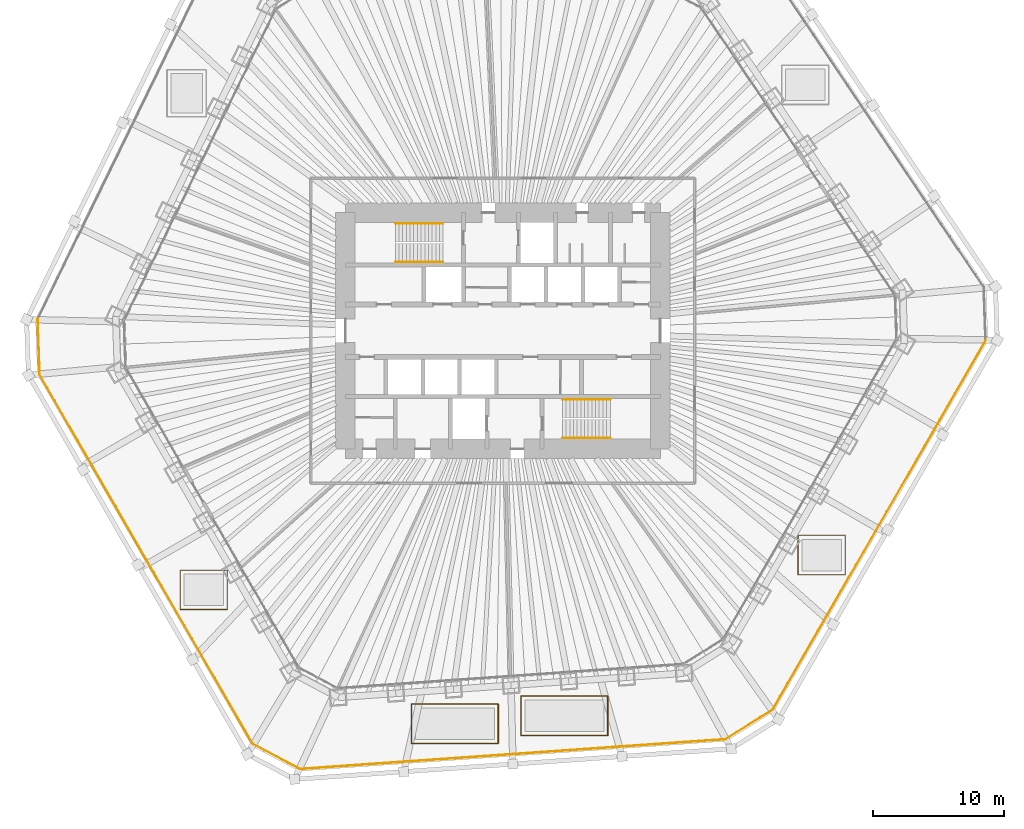
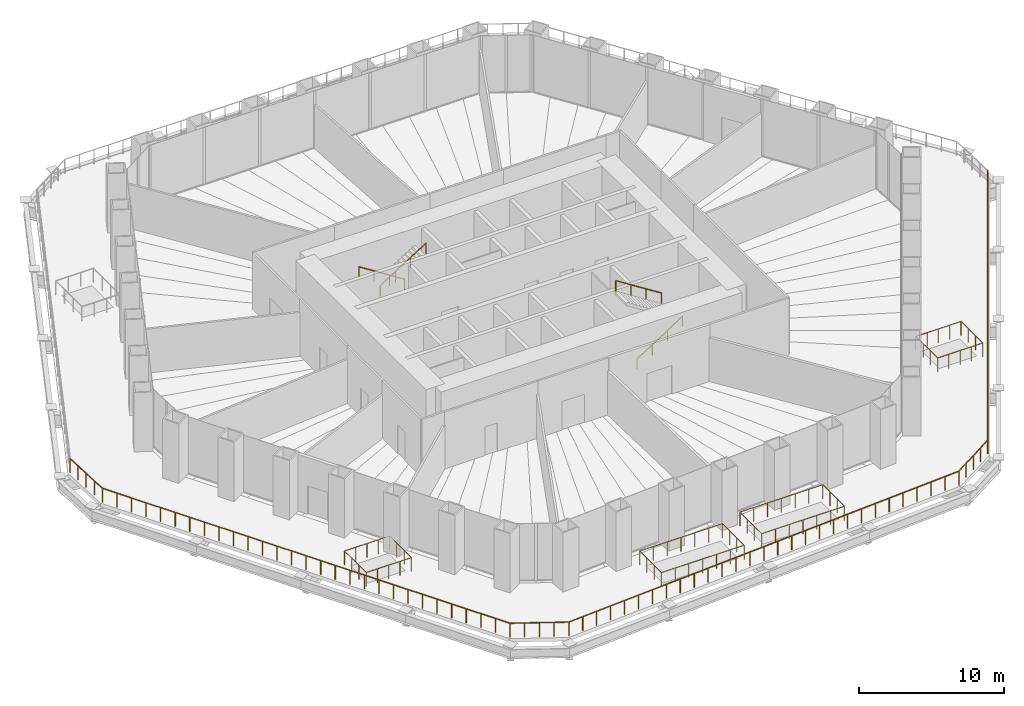
# One storey, part 18 of 20: 11 railings.
"""IFC4 building model written with IfcOpenShell, lengths in metres."""

from ifc_helpers import new_model, si_unit, direction, frame, origin, origin_2d, place, context, subcontext, project, spatial, circle, extrude, material, type_object, element, save


model = new_model("IFC4")

# Units and contexts
model_context = context("Model", 3, precision=1e-05, world=origin(), true_north=direction((0.0, 1.0)))
body_context = subcontext(model_context, "Body", "Model", "MODEL_VIEW")
ifc_project = project(units=[si_unit("LENGTHUNIT", "METRE"), si_unit("AREAUNIT", "SQUARE_METRE"), si_unit("VOLUMEUNIT", "CUBIC_METRE"), si_unit("PLANEANGLEUNIT", "RADIAN"), si_unit("MASSUNIT", "GRAM", prefix="KILO")], contexts=[model_context])

# Site, building, storey
site_placement = place(None, origin())
site = spatial("IfcSite", under=ifc_project, at=site_placement, CompositionType="ELEMENT")
building_placement = place(site_placement, origin())
building = spatial("IfcBuilding", under=site, at=building_placement, Name="Qingtian Harvest Tower", CompositionType="ELEMENT")
storey_placement = place(building_placement, frame((0.0, 0.0, 17.0)))
storey = spatial("IfcBuildingStorey", under=building, at=storey_placement, Name="L03", CompositionType="ELEMENT", Elevation=17.0)

# Railings
ifc_material_1 = material(Name="Stainless steel handrail", Category="steel")
railing_type_1 = type_object("IfcRailingType", Name="Handrail HR1", PredefinedType="HANDRAIL", material=ifc_material_1)
railing_1_placement = place(storey_placement, frame((-4.550048828125, 8.169921875, 0.178466796875)))
element("IfcRailing", 1, at=railing_1_placement, inside=storey, type_object=railing_type_1, Name="Handrail HR1 S1 flight 1", PredefinedType="HANDRAIL", context=body_context, shape_type="SweptSolid", body=[
    extrude(circle(Radius=0.02392578125, at=origin_2d()), frame((0.0, 0.0, 0.8759765625), z_axis=(-0.843111507901, 0.0, 0.53773877045), x_axis=(0.0, -1.0, 0.0)), (0.0, 0.0, 1.0), 4.317138671875),
    extrude(circle(Radius=0.02099609375, at=origin_2d()), origin(), (0.0, 0.0, 1.0), 0.851806640625),
    extrude(circle(Radius=0.02099609375, at=origin_2d()), frame((-1.21337890625, 0.0, 0.77392578125)), (0.0, 0.0, 1.0), 0.851806640625),
    extrude(circle(Radius=0.02099609375, at=origin_2d()), frame((-2.426513671875, 0.0, 1.547607421875)), (0.0, 0.0, 1.0), 0.851806640625),
    extrude(circle(Radius=0.02099609375, at=origin_2d()), frame((-3.639892578125, 0.0, 2.321533203125)), (0.0, 0.0, 1.0), 0.851806640625),
])
for number, where, name in (
    (2, (-8.18994140625, 5.22998046875, 2.678466796875), "Handrail HR1 S1 flight 2"),
    (3, (4.550048828125, -8.169921875, 0.178466796875), "Handrail HR1 S2 flight 1"),
):
    element("IfcRailing", number, at=place(storey_placement, frame(where)), inside=storey, type_object=railing_type_1, Name=name, PredefinedType="HANDRAIL", context=body_context, shape_type="SweptSolid", body=[
        extrude(circle(Radius=0.02392578125, at=origin_2d()), frame((0.0, 0.0, 0.8759765625), z_axis=(0.843111507901, 0.0, 0.53773877045), x_axis=(0.0, 1.0, 0.0)), (0.0, 0.0, 1.0), 4.317138671875),
        extrude(circle(Radius=0.02099609375, at=origin_2d()), origin(), (0.0, 0.0, 1.0), 0.851806640625),
        extrude(circle(Radius=0.02099609375, at=origin_2d()), frame((1.21337890625, 0.0, 0.77392578125)), (0.0, 0.0, 1.0), 0.851806640625),
        extrude(circle(Radius=0.02099609375, at=origin_2d()), frame((2.426513671875, 0.0, 1.547607421875)), (0.0, 0.0, 1.0), 0.851806640625),
        extrude(circle(Radius=0.02099609375, at=origin_2d()), frame((3.639892578125, 0.0, 2.321533203125)), (0.0, 0.0, 1.0), 0.851806640625),
    ])
railing_2_placement = place(storey_placement, frame((8.18994140625, -5.22998046875, 2.678466796875)))
element("IfcRailing", 4, at=railing_2_placement, inside=storey, type_object=railing_type_1, Name="Handrail HR1 S2 flight 2", PredefinedType="HANDRAIL", context=body_context, shape_type="SweptSolid", body=[
    extrude(circle(Radius=0.02392578125, at=origin_2d()), frame((0.0, 0.0, 0.8759765625), z_axis=(-0.843111507901, 0.0, 0.53773877045), x_axis=(0.0, -1.0, 0.0)), (0.0, 0.0, 1.0), 4.317138671875),
    extrude(circle(Radius=0.02099609375, at=origin_2d()), origin(), (0.0, 0.0, 1.0), 0.851806640625),
    extrude(circle(Radius=0.02099609375, at=origin_2d()), frame((-1.21337890625, 0.0, 0.77392578125)), (0.0, 0.0, 1.0), 0.851806640625),
    extrude(circle(Radius=0.02099609375, at=origin_2d()), frame((-2.426513671875, 0.0, 1.547607421875)), (0.0, 0.0, 1.0), 0.851806640625),
    extrude(circle(Radius=0.02099609375, at=origin_2d()), frame((-3.639892578125, 0.0, 2.321533203125)), (0.0, 0.0, 1.0), 0.851806640625),
])
ifc_material_2 = material(Name="Bronze-finished steel guard", Category="steel")
railing_type_2 = type_object("IfcRailingType", Name="Rooflight guard GR3 1200", PredefinedType="GUARDRAIL", material=ifc_material_2)
railing_3_placement = place(storey_placement, frame((1.39990234375, -30.85009765625, 0.0)))
element("IfcRailing", 5, at=railing_3_placement, inside=storey, type_object=railing_type_2, Name="Rooflight guard GR3 S1", PredefinedType="GUARDRAIL", context=body_context, shape_type="SweptSolid", body=[
    extrude(circle(Radius=0.02392578125, at=origin_2d()), frame((0.0, 0.0, 1.17578125), z_axis=(1.0, 0.0, 0.0), x_axis=(0.0, 1.0, 0.0)), (0.0, 0.0, 1.0), 6.60009765625),
    extrude(circle(Radius=0.02392578125, at=origin_2d()), frame((6.60009765625, 0.0, 1.17578125), z_axis=(0.0, 1.0, 0.0), x_axis=(-1.0, 0.0, 0.0)), (0.0, 0.0, 1.0), 3.0),
    extrude(circle(Radius=0.02392578125, at=origin_2d()), frame((6.60009765625, 3.0, 1.17578125), z_axis=(-1.0, 0.0, 0.0), x_axis=(0.0, -1.0, 0.0)), (0.0, 0.0, 1.0), 6.60009765625),
    extrude(circle(Radius=0.02392578125, at=origin_2d()), frame((0.0, 3.0, 1.17578125), z_axis=(0.0, -1.0, 0.0), x_axis=(1.0, 0.0, 0.0)), (0.0, 0.0, 1.0), 3.0),
    extrude(circle(Radius=0.02099609375, at=origin_2d()), origin(), (0.0, 0.0, 1.0), 1.15185546875),
    extrude(circle(Radius=0.02099609375, at=origin_2d()), frame((1.10009765625, 0.0, 0.0)), (0.0, 0.0, 1.0), 1.15185546875),
    extrude(circle(Radius=0.02099609375, at=origin_2d()), frame((2.199951171875, 0.0, 0.0)), (0.0, 0.0, 1.0), 1.15185546875),
    extrude(circle(Radius=0.02099609375, at=origin_2d()), frame((3.300048828125, 0.0, 0.0)), (0.0, 0.0, 1.0), 1.15185546875),
    extrude(circle(Radius=0.02099609375, at=origin_2d()), frame((4.400146484375, 0.0, 0.0)), (0.0, 0.0, 1.0), 1.15185546875),
    extrude(circle(Radius=0.02099609375, at=origin_2d()), frame((5.5, 0.0, 0.0)), (0.0, 0.0, 1.0), 1.15185546875),
    extrude(circle(Radius=0.02099609375, at=origin_2d()), frame((6.60009765625, 0.0, 0.0)), (0.0, 0.0, 1.0), 1.15185546875),
    extrude(circle(Radius=0.02099609375, at=origin_2d()), frame((6.60009765625, 1.0, 0.0)), (0.0, 0.0, 1.0), 1.15185546875),
    extrude(circle(Radius=0.02099609375, at=origin_2d()), frame((6.60009765625, 2.0, 0.0)), (0.0, 0.0, 1.0), 1.15185546875),
    extrude(circle(Radius=0.02099609375, at=origin_2d()), frame((6.60009765625, 3.0, 0.0)), (0.0, 0.0, 1.0), 1.15185546875),
    extrude(circle(Radius=0.02099609375, at=origin_2d()), frame((5.5, 3.0, 0.0)), (0.0, 0.0, 1.0), 1.15185546875),
    extrude(circle(Radius=0.02099609375, at=origin_2d()), frame((4.400146484375, 3.0, 0.0)), (0.0, 0.0, 1.0), 1.15185546875),
    extrude(circle(Radius=0.02099609375, at=origin_2d()), frame((3.300048828125, 3.0, 0.0)), (0.0, 0.0, 1.0), 1.15185546875),
    extrude(circle(Radius=0.02099609375, at=origin_2d()), frame((2.199951171875, 3.0, 0.0)), (0.0, 0.0, 1.0), 1.15185546875),
    extrude(circle(Radius=0.02099609375, at=origin_2d()), frame((1.10009765625, 3.0, 0.0)), (0.0, 0.0, 1.0), 1.15185546875),
    extrude(circle(Radius=0.02099609375, at=origin_2d()), frame((0.0, 3.0, 0.0)), (0.0, 0.0, 1.0), 1.15185546875),
    extrude(circle(Radius=0.02099609375, at=origin_2d()), frame((0.0, 2.0, 0.0)), (0.0, 0.0, 1.0), 1.15185546875),
    extrude(circle(Radius=0.02099609375, at=origin_2d()), frame((0.0, 1.0, 0.0)), (0.0, 0.0, 1.0), 1.15185546875),
])
railing_4_placement = place(storey_placement, frame((-6.949951171875, -31.449951171875, 0.0)))
element("IfcRailing", 6, at=railing_4_placement, inside=storey, type_object=railing_type_2, Name="Rooflight guard GR3 S2", PredefinedType="GUARDRAIL", context=body_context, shape_type="SweptSolid", body=[
    extrude(circle(Radius=0.02392578125, at=origin_2d()), frame((0.0, 0.0, 1.17578125), z_axis=(1.0, 0.0, 0.0), x_axis=(0.0, 1.0, 0.0)), (0.0, 0.0, 1.0), 6.599853515625),
    extrude(circle(Radius=0.02392578125, at=origin_2d()), frame((6.599853515625, 0.0, 1.17578125), z_axis=(0.0, 1.0, 0.0), x_axis=(-1.0, 0.0, 0.0)), (0.0, 0.0, 1.0), 3.0),
    extrude(circle(Radius=0.02392578125, at=origin_2d()), frame((6.599853515625, 3.0, 1.17578125), z_axis=(-1.0, 0.0, 0.0), x_axis=(0.0, -1.0, 0.0)), (0.0, 0.0, 1.0), 6.599853515625),
    extrude(circle(Radius=0.02392578125, at=origin_2d()), frame((0.0, 3.0, 1.17578125), z_axis=(0.0, -1.0, 0.0), x_axis=(1.0, 0.0, 0.0)), (0.0, 0.0, 1.0), 3.0),
    extrude(circle(Radius=0.02099609375, at=origin_2d()), origin(), (0.0, 0.0, 1.0), 1.15185546875),
    extrude(circle(Radius=0.02099609375, at=origin_2d()), frame((1.10009765625, 0.0, 0.0)), (0.0, 0.0, 1.0), 1.15185546875),
    extrude(circle(Radius=0.02099609375, at=origin_2d()), frame((2.199951171875, 0.0, 0.0)), (0.0, 0.0, 1.0), 1.15185546875),
    extrude(circle(Radius=0.02099609375, at=origin_2d()), frame((3.2998046875, 0.0, 0.0)), (0.0, 0.0, 1.0), 1.15185546875),
    extrude(circle(Radius=0.02099609375, at=origin_2d()), frame((4.39990234375, 0.0, 0.0)), (0.0, 0.0, 1.0), 1.15185546875),
    extrude(circle(Radius=0.02099609375, at=origin_2d()), frame((5.5, 0.0, 0.0)), (0.0, 0.0, 1.0), 1.15185546875),
    extrude(circle(Radius=0.02099609375, at=origin_2d()), frame((6.599853515625, 0.0, 0.0)), (0.0, 0.0, 1.0), 1.15185546875),
    extrude(circle(Radius=0.02099609375, at=origin_2d()), frame((6.599853515625, 1.0, 0.0)), (0.0, 0.0, 1.0), 1.15185546875),
    extrude(circle(Radius=0.02099609375, at=origin_2d()), frame((6.599853515625, 2.0, 0.0)), (0.0, 0.0, 1.0), 1.15185546875),
    extrude(circle(Radius=0.02099609375, at=origin_2d()), frame((6.599853515625, 3.0, 0.0)), (0.0, 0.0, 1.0), 1.15185546875),
    extrude(circle(Radius=0.02099609375, at=origin_2d()), frame((5.5, 3.0, 0.0)), (0.0, 0.0, 1.0), 1.15185546875),
    extrude(circle(Radius=0.02099609375, at=origin_2d()), frame((4.39990234375, 3.0, 0.0)), (0.0, 0.0, 1.0), 1.15185546875),
    extrude(circle(Radius=0.02099609375, at=origin_2d()), frame((3.2998046875, 3.0, 0.0)), (0.0, 0.0, 1.0), 1.15185546875),
    extrude(circle(Radius=0.02099609375, at=origin_2d()), frame((2.199951171875, 3.0, 0.0)), (0.0, 0.0, 1.0), 1.15185546875),
    extrude(circle(Radius=0.02099609375, at=origin_2d()), frame((1.10009765625, 3.0, 0.0)), (0.0, 0.0, 1.0), 1.15185546875),
    extrude(circle(Radius=0.02099609375, at=origin_2d()), frame((0.0, 3.0, 0.0)), (0.0, 0.0, 1.0), 1.15185546875),
    extrude(circle(Radius=0.02099609375, at=origin_2d()), frame((0.0, 2.0, 0.0)), (0.0, 0.0, 1.0), 1.15185546875),
    extrude(circle(Radius=0.02099609375, at=origin_2d()), frame((0.0, 1.0, 0.0)), (0.0, 0.0, 1.0), 1.15185546875),
])
railing_5_placement = place(storey_placement, frame((22.5, -18.60009765625, 0.0)))
element("IfcRailing", 7, at=railing_5_placement, inside=storey, type_object=railing_type_2, Name="Rooflight guard GR3 SE2", PredefinedType="GUARDRAIL", context=body_context, shape_type="SweptSolid", body=[
    extrude(circle(Radius=0.02392578125, at=origin_2d()), frame((0.0, 0.0, 1.17578125), z_axis=(1.0, 0.0, 0.0), x_axis=(0.0, 1.0, 0.0)), (0.0, 0.0, 1.0), 3.60009765625),
    extrude(circle(Radius=0.02392578125, at=origin_2d()), frame((3.60009765625, 0.0, 1.17578125), z_axis=(0.0, 1.0, 0.0), x_axis=(-1.0, 0.0, 0.0)), (0.0, 0.0, 1.0), 3.0),
    extrude(circle(Radius=0.02392578125, at=origin_2d()), frame((3.60009765625, 3.0, 1.17578125), z_axis=(-1.0, 0.0, 0.0), x_axis=(0.0, -1.0, 0.0)), (0.0, 0.0, 1.0), 3.60009765625),
    extrude(circle(Radius=0.02392578125, at=origin_2d()), frame((0.0, 3.0, 1.17578125), z_axis=(0.0, -1.0, 0.0), x_axis=(1.0, 0.0, 0.0)), (0.0, 0.0, 1.0), 3.0),
    extrude(circle(Radius=0.02099609375, at=origin_2d()), origin(), (0.0, 0.0, 1.0), 1.15185546875),
    extrude(circle(Radius=0.02099609375, at=origin_2d()), frame((0.89990234375, 0.0, 0.0)), (0.0, 0.0, 1.0), 1.15185546875),
    extrude(circle(Radius=0.02099609375, at=origin_2d()), frame((1.800048828125, 0.0, 0.0)), (0.0, 0.0, 1.0), 1.15185546875),
    extrude(circle(Radius=0.02099609375, at=origin_2d()), frame((2.7001953125, 0.0, 0.0)), (0.0, 0.0, 1.0), 1.15185546875),
    extrude(circle(Radius=0.02099609375, at=origin_2d()), frame((3.60009765625, 0.0, 0.0)), (0.0, 0.0, 1.0), 1.15185546875),
    extrude(circle(Radius=0.02099609375, at=origin_2d()), frame((3.60009765625, 1.0, 0.0)), (0.0, 0.0, 1.0), 1.15185546875),
    extrude(circle(Radius=0.02099609375, at=origin_2d()), frame((3.60009765625, 2.0, 0.0)), (0.0, 0.0, 1.0), 1.15185546875),
    extrude(circle(Radius=0.02099609375, at=origin_2d()), frame((3.60009765625, 3.0, 0.0)), (0.0, 0.0, 1.0), 1.15185546875),
    extrude(circle(Radius=0.02099609375, at=origin_2d()), frame((2.7001953125, 3.0, 0.0)), (0.0, 0.0, 1.0), 1.15185546875),
    extrude(circle(Radius=0.02099609375, at=origin_2d()), frame((1.800048828125, 3.0, 0.0)), (0.0, 0.0, 1.0), 1.15185546875),
    extrude(circle(Radius=0.02099609375, at=origin_2d()), frame((0.89990234375, 3.0, 0.0)), (0.0, 0.0, 1.0), 1.15185546875),
    extrude(circle(Radius=0.02099609375, at=origin_2d()), frame((0.0, 3.0, 0.0)), (0.0, 0.0, 1.0), 1.15185546875),
    extrude(circle(Radius=0.02099609375, at=origin_2d()), frame((0.0, 2.0, 0.0)), (0.0, 0.0, 1.0), 1.15185546875),
    extrude(circle(Radius=0.02099609375, at=origin_2d()), frame((0.0, 1.0, 0.0)), (0.0, 0.0, 1.0), 1.15185546875),
])
railing_6_placement = place(storey_placement, frame((-24.60009765625, -21.25, 0.0)))
element("IfcRailing", 8, at=railing_6_placement, inside=storey, type_object=railing_type_2, Name="Rooflight guard GR3 SW1", PredefinedType="GUARDRAIL", context=body_context, shape_type="SweptSolid", body=[
    extrude(circle(Radius=0.02392578125, at=origin_2d()), frame((0.0, 0.0, 1.17578125), z_axis=(1.0, 0.0, 0.0), x_axis=(0.0, 1.0, 0.0)), (0.0, 0.0, 1.0), 3.60009765625),
    extrude(circle(Radius=0.02392578125, at=origin_2d()), frame((3.60009765625, 0.0, 1.17578125), z_axis=(0.0, 1.0, 0.0), x_axis=(-1.0, 0.0, 0.0)), (0.0, 0.0, 1.0), 3.0),
    extrude(circle(Radius=0.02392578125, at=origin_2d()), frame((3.60009765625, 3.0, 1.17578125), z_axis=(-1.0, 0.0, 0.0), x_axis=(0.0, -1.0, 0.0)), (0.0, 0.0, 1.0), 3.60009765625),
    extrude(circle(Radius=0.02392578125, at=origin_2d()), frame((0.0, 3.0, 1.17578125), z_axis=(0.0, -1.0, 0.0), x_axis=(1.0, 0.0, 0.0)), (0.0, 0.0, 1.0), 3.0),
    extrude(circle(Radius=0.02099609375, at=origin_2d()), origin(), (0.0, 0.0, 1.0), 1.15185546875),
    extrude(circle(Radius=0.02099609375, at=origin_2d()), frame((0.89990234375, 0.0, 0.0)), (0.0, 0.0, 1.0), 1.15185546875),
    extrude(circle(Radius=0.02099609375, at=origin_2d()), frame((1.800048828125, 0.0, 0.0)), (0.0, 0.0, 1.0), 1.15185546875),
    extrude(circle(Radius=0.02099609375, at=origin_2d()), frame((2.7001953125, 0.0, 0.0)), (0.0, 0.0, 1.0), 1.15185546875),
    extrude(circle(Radius=0.02099609375, at=origin_2d()), frame((3.60009765625, 0.0, 0.0)), (0.0, 0.0, 1.0), 1.15185546875),
    extrude(circle(Radius=0.02099609375, at=origin_2d()), frame((3.60009765625, 1.0, 0.0)), (0.0, 0.0, 1.0), 1.15185546875),
    extrude(circle(Radius=0.02099609375, at=origin_2d()), frame((3.60009765625, 2.0, 0.0)), (0.0, 0.0, 1.0), 1.15185546875),
    extrude(circle(Radius=0.02099609375, at=origin_2d()), frame((3.60009765625, 3.0, 0.0)), (0.0, 0.0, 1.0), 1.15185546875),
    extrude(circle(Radius=0.02099609375, at=origin_2d()), frame((2.7001953125, 3.0, 0.0)), (0.0, 0.0, 1.0), 1.15185546875),
    extrude(circle(Radius=0.02099609375, at=origin_2d()), frame((1.800048828125, 3.0, 0.0)), (0.0, 0.0, 1.0), 1.15185546875),
    extrude(circle(Radius=0.02099609375, at=origin_2d()), frame((0.89990234375, 3.0, 0.0)), (0.0, 0.0, 1.0), 1.15185546875),
    extrude(circle(Radius=0.02099609375, at=origin_2d()), frame((0.0, 3.0, 0.0)), (0.0, 0.0, 1.0), 1.15185546875),
    extrude(circle(Radius=0.02099609375, at=origin_2d()), frame((0.0, 2.0, 0.0)), (0.0, 0.0, 1.0), 1.15185546875),
    extrude(circle(Radius=0.02099609375, at=origin_2d()), frame((0.0, 1.0, 0.0)), (0.0, 0.0, 1.0), 1.15185546875),
])
ifc_material_3 = material(Name="Bronze-finished steel guard", Category="steel")
railing_type_3 = type_object("IfcRailingType", Name="Terrace guard GR2 1200", PredefinedType="GUARDRAIL", material=ifc_material_3)
railing_7_placement = place(storey_placement, frame((36.805419921875, -0.751220703125, 0.0)))
element("IfcRailing", 9, at=railing_7_placement, inside=storey, type_object=railing_type_3, Name="Terrace guard GR2 SE", PredefinedType="GUARDRAIL", context=body_context, shape_type="SweptSolid", body=[
    extrude(circle(Radius=0.02392578125, at=origin_2d()), frame((0.0, 0.0, 1.17578125), z_axis=(-0.500004234368, -0.866022959057, 0.0), x_axis=(0.866022959057, -0.500004234368, 0.0)), (0.0, 0.0, 1.0), 32.499755859375),
    extrude(circle(Radius=0.02392578125, at=origin_2d()), frame((-16.25, -28.1455078125, 1.17578125), z_axis=(-0.848040374245, -0.529931621675, 0.0), x_axis=(0.529931621675, -0.848040374245, 0.0)), (0.0, 0.0, 1.0), 4.238037109375),
    extrude(circle(Radius=0.02099609375, at=origin_2d()), origin(), (0.0, 0.0, 1.0), 1.15185546875),
    extrude(circle(Radius=0.02099609375, at=origin_2d()), frame((-0.580322265625, -1.005126953125, 0.0)), (0.0, 0.0, 1.0), 1.15185546875),
    extrude(circle(Radius=0.02099609375, at=origin_2d()), frame((-1.16064453125, -2.010498046875, 0.0)), (0.0, 0.0, 1.0), 1.15185546875),
    extrude(circle(Radius=0.02099609375, at=origin_2d()), frame((-1.740966796875, -3.015625, 0.0)), (0.0, 0.0, 1.0), 1.15185546875),
    extrude(circle(Radius=0.02099609375, at=origin_2d()), frame((-2.321533203125, -4.020751953125, 0.0)), (0.0, 0.0, 1.0), 1.15185546875),
    extrude(circle(Radius=0.02099609375, at=origin_2d()), frame((-2.90185546875, -5.02587890625, 0.0)), (0.0, 0.0, 1.0), 1.15185546875),
    extrude(circle(Radius=0.02099609375, at=origin_2d()), frame((-3.482177734375, -6.03125, 0.0)), (0.0, 0.0, 1.0), 1.15185546875),
    extrude(circle(Radius=0.02099609375, at=origin_2d()), frame((-4.0625, -7.036376953125, 0.0)), (0.0, 0.0, 1.0), 1.15185546875),
    extrude(circle(Radius=0.02099609375, at=origin_2d()), frame((-4.642822265625, -8.04150390625, 0.0)), (0.0, 0.0, 1.0), 1.15185546875),
    extrude(circle(Radius=0.02099609375, at=origin_2d()), frame((-5.22314453125, -9.046875, 0.0)), (0.0, 0.0, 1.0), 1.15185546875),
    extrude(circle(Radius=0.02099609375, at=origin_2d()), frame((-5.803466796875, -10.052001953125, 0.0)), (0.0, 0.0, 1.0), 1.15185546875),
    extrude(circle(Radius=0.02099609375, at=origin_2d()), frame((-6.384033203125, -11.05712890625, 0.0)), (0.0, 0.0, 1.0), 1.15185546875),
    extrude(circle(Radius=0.02099609375, at=origin_2d()), frame((-6.96435546875, -12.062255859375, 0.0)), (0.0, 0.0, 1.0), 1.15185546875),
    extrude(circle(Radius=0.02099609375, at=origin_2d()), frame((-7.544677734375, -13.067626953125, 0.0)), (0.0, 0.0, 1.0), 1.15185546875),
    extrude(circle(Radius=0.02099609375, at=origin_2d()), frame((-8.125, -14.07275390625, 0.0)), (0.0, 0.0, 1.0), 1.15185546875),
    extrude(circle(Radius=0.02099609375, at=origin_2d()), frame((-8.705322265625, -15.077880859375, 0.0)), (0.0, 0.0, 1.0), 1.15185546875),
    extrude(circle(Radius=0.02099609375, at=origin_2d()), frame((-9.28564453125, -16.083251953125, 0.0)), (0.0, 0.0, 1.0), 1.15185546875),
    extrude(circle(Radius=0.02099609375, at=origin_2d()), frame((-9.865966796875, -17.08837890625, 0.0)), (0.0, 0.0, 1.0), 1.15185546875),
    extrude(circle(Radius=0.02099609375, at=origin_2d()), frame((-10.446533203125, -18.093505859375, 0.0)), (0.0, 0.0, 1.0), 1.15185546875),
    extrude(circle(Radius=0.02099609375, at=origin_2d()), frame((-11.02685546875, -19.0986328125, 0.0)), (0.0, 0.0, 1.0), 1.15185546875),
    extrude(circle(Radius=0.02099609375, at=origin_2d()), frame((-11.607177734375, -20.10400390625, 0.0)), (0.0, 0.0, 1.0), 1.15185546875),
    extrude(circle(Radius=0.02099609375, at=origin_2d()), frame((-12.1875, -21.109130859375, 0.0)), (0.0, 0.0, 1.0), 1.15185546875),
    extrude(circle(Radius=0.02099609375, at=origin_2d()), frame((-12.767822265625, -22.1142578125, 0.0)), (0.0, 0.0, 1.0), 1.15185546875),
    extrude(circle(Radius=0.02099609375, at=origin_2d()), frame((-13.34814453125, -23.11962890625, 0.0)), (0.0, 0.0, 1.0), 1.15185546875),
    extrude(circle(Radius=0.02099609375, at=origin_2d()), frame((-13.928466796875, -24.124755859375, 0.0)), (0.0, 0.0, 1.0), 1.15185546875),
    extrude(circle(Radius=0.02099609375, at=origin_2d()), frame((-14.509033203125, -25.1298828125, 0.0)), (0.0, 0.0, 1.0), 1.15185546875),
    extrude(circle(Radius=0.02099609375, at=origin_2d()), frame((-15.08935546875, -26.135009765625, 0.0)), (0.0, 0.0, 1.0), 1.15185546875),
    extrude(circle(Radius=0.02099609375, at=origin_2d()), frame((-15.669677734375, -27.140380859375, 0.0)), (0.0, 0.0, 1.0), 1.15185546875),
    extrude(circle(Radius=0.02099609375, at=origin_2d()), frame((-16.25, -28.1455078125, 0.0)), (0.0, 0.0, 1.0), 1.15185546875),
    extrude(circle(Radius=0.02099609375, at=origin_2d()), frame((-17.1484375, -28.70703125, 0.0)), (0.0, 0.0, 1.0), 1.15185546875),
    extrude(circle(Radius=0.02099609375, at=origin_2d()), frame((-18.046875, -29.2685546875, 0.0)), (0.0, 0.0, 1.0), 1.15185546875),
    extrude(circle(Radius=0.02099609375, at=origin_2d()), frame((-18.945556640625, -29.829833984375, 0.0)), (0.0, 0.0, 1.0), 1.15185546875),
    extrude(circle(Radius=0.02099609375, at=origin_2d()), frame((-19.843994140625, -30.391357421875, 0.0)), (0.0, 0.0, 1.0), 1.15185546875),
])
railing_8_placement = place(storey_placement, frame((16.96142578125, -31.142578125, 0.0)))
element("IfcRailing", 10, at=railing_8_placement, inside=storey, type_object=railing_type_3, Name="Terrace guard GR2 S", PredefinedType="GUARDRAIL", context=body_context, shape_type="SweptSolid", body=[
    extrude(circle(Radius=0.02392578125, at=origin_2d()), frame((0.0, 0.0, 1.17578125), z_axis=(-0.997564014187, -0.069756989614, 0.0), x_axis=(0.069756989614, -0.997564014187, 0.0)), (0.0, 0.0, 1.0), 32.499755859375),
    extrude(circle(Radius=0.02392578125, at=origin_2d()), frame((-32.420654296875, -2.26708984375, 1.17578125), z_axis=(-0.88295491585, 0.469457789984, 0.0), x_axis=(-0.469457789984, -0.88295491585, 0.0)), (0.0, 0.0, 1.0), 4.0703125),
    extrude(circle(Radius=0.02099609375, at=origin_2d()), origin(), (0.0, 0.0, 1.0), 1.15185546875),
    extrude(circle(Radius=0.02099609375, at=origin_2d()), frame((-1.157958984375, -0.0810546875, 0.0)), (0.0, 0.0, 1.0), 1.15185546875),
    extrude(circle(Radius=0.02099609375, at=origin_2d()), frame((-2.315673828125, -0.161865234375, 0.0)), (0.0, 0.0, 1.0), 1.15185546875),
    extrude(circle(Radius=0.02099609375, at=origin_2d()), frame((-3.4736328125, -0.242919921875, 0.0)), (0.0, 0.0, 1.0), 1.15185546875),
    extrude(circle(Radius=0.02099609375, at=origin_2d()), frame((-4.631591796875, -0.323974609375, 0.0)), (0.0, 0.0, 1.0), 1.15185546875),
    extrude(circle(Radius=0.02099609375, at=origin_2d()), frame((-5.789306640625, -0.40478515625, 0.0)), (0.0, 0.0, 1.0), 1.15185546875),
    extrude(circle(Radius=0.02099609375, at=origin_2d()), frame((-6.947265625, -0.48583984375, 0.0)), (0.0, 0.0, 1.0), 1.15185546875),
    extrude(circle(Radius=0.02099609375, at=origin_2d()), frame((-8.105224609375, -0.56689453125, 0.0)), (0.0, 0.0, 1.0), 1.15185546875),
    extrude(circle(Radius=0.02099609375, at=origin_2d()), frame((-9.262939453125, -0.647705078125, 0.0)), (0.0, 0.0, 1.0), 1.15185546875),
    extrude(circle(Radius=0.02099609375, at=origin_2d()), frame((-10.4208984375, -0.728759765625, 0.0)), (0.0, 0.0, 1.0), 1.15185546875),
    extrude(circle(Radius=0.02099609375, at=origin_2d()), frame((-11.578857421875, -0.8095703125, 0.0)), (0.0, 0.0, 1.0), 1.15185546875),
    extrude(circle(Radius=0.02099609375, at=origin_2d()), frame((-12.736572265625, -0.890625, 0.0)), (0.0, 0.0, 1.0), 1.15185546875),
    extrude(circle(Radius=0.02099609375, at=origin_2d()), frame((-13.89453125, -0.9716796875, 0.0)), (0.0, 0.0, 1.0), 1.15185546875),
    extrude(circle(Radius=0.02099609375, at=origin_2d()), frame((-15.052490234375, -1.052490234375, 0.0)), (0.0, 0.0, 1.0), 1.15185546875),
    extrude(circle(Radius=0.02099609375, at=origin_2d()), frame((-16.21044921875, -1.133544921875, 0.0)), (0.0, 0.0, 1.0), 1.15185546875),
    extrude(circle(Radius=0.02099609375, at=origin_2d()), frame((-17.3681640625, -1.214599609375, 0.0)), (0.0, 0.0, 1.0), 1.15185546875),
    extrude(circle(Radius=0.02099609375, at=origin_2d()), frame((-18.526123046875, -1.29541015625, 0.0)), (0.0, 0.0, 1.0), 1.15185546875),
    extrude(circle(Radius=0.02099609375, at=origin_2d()), frame((-19.68408203125, -1.37646484375, 0.0)), (0.0, 0.0, 1.0), 1.15185546875),
    extrude(circle(Radius=0.02099609375, at=origin_2d()), frame((-20.841796875, -1.45751953125, 0.0)), (0.0, 0.0, 1.0), 1.15185546875),
    extrude(circle(Radius=0.02099609375, at=origin_2d()), frame((-21.999755859375, -1.538330078125, 0.0)), (0.0, 0.0, 1.0), 1.15185546875),
    extrude(circle(Radius=0.02099609375, at=origin_2d()), frame((-23.15771484375, -1.619384765625, 0.0)), (0.0, 0.0, 1.0), 1.15185546875),
    extrude(circle(Radius=0.02099609375, at=origin_2d()), frame((-24.3154296875, -1.7001953125, 0.0)), (0.0, 0.0, 1.0), 1.15185546875),
    extrude(circle(Radius=0.02099609375, at=origin_2d()), frame((-25.473388671875, -1.78125, 0.0)), (0.0, 0.0, 1.0), 1.15185546875),
    extrude(circle(Radius=0.02099609375, at=origin_2d()), frame((-26.63134765625, -1.8623046875, 0.0)), (0.0, 0.0, 1.0), 1.15185546875),
    extrude(circle(Radius=0.02099609375, at=origin_2d()), frame((-27.7890625, -1.943115234375, 0.0)), (0.0, 0.0, 1.0), 1.15185546875),
    extrude(circle(Radius=0.02099609375, at=origin_2d()), frame((-28.947021484375, -2.024169921875, 0.0)), (0.0, 0.0, 1.0), 1.15185546875),
    extrude(circle(Radius=0.02099609375, at=origin_2d()), frame((-30.10498046875, -2.105224609375, 0.0)), (0.0, 0.0, 1.0), 1.15185546875),
    extrude(circle(Radius=0.02099609375, at=origin_2d()), frame((-31.2626953125, -2.18603515625, 0.0)), (0.0, 0.0, 1.0), 1.15185546875),
    extrude(circle(Radius=0.02099609375, at=origin_2d()), frame((-32.420654296875, -2.26708984375, 0.0)), (0.0, 0.0, 1.0), 1.15185546875),
    extrude(circle(Radius=0.02099609375, at=origin_2d()), frame((-33.319091796875, -1.789306640625, 0.0)), (0.0, 0.0, 1.0), 1.15185546875),
    extrude(circle(Radius=0.02099609375, at=origin_2d()), frame((-34.2177734375, -1.3115234375, 0.0)), (0.0, 0.0, 1.0), 1.15185546875),
    extrude(circle(Radius=0.02099609375, at=origin_2d()), frame((-35.1162109375, -0.833984375, 0.0)), (0.0, 0.0, 1.0), 1.15185546875),
    extrude(circle(Radius=0.02099609375, at=origin_2d()), frame((-36.0146484375, -0.356201171875, 0.0)), (0.0, 0.0, 1.0), 1.15185546875),
])
railing_9_placement = place(storey_placement, frame((-19.05322265625, -31.498779296875, 0.0)))
element("IfcRailing", 11, at=railing_9_placement, inside=storey, type_object=railing_type_3, Name="Terrace guard GR2 SW", PredefinedType="GUARDRAIL", context=body_context, shape_type="SweptSolid", body=[
    extrude(circle(Radius=0.02392578125, at=origin_2d()), frame((0.0, 0.0, 1.17578125), z_axis=(-0.500004234368, 0.866022959057, 0.0), x_axis=(-0.866022959057, -0.500004234368, 0.0)), (0.0, 0.0, 1.0), 32.499755859375),
    extrude(circle(Radius=0.02392578125, at=origin_2d()), frame((-16.25, 28.1455078125, 1.17578125), z_axis=(-0.034851142499, 0.999392514414, 0.0), x_axis=(-0.999392514414, -0.034851142499, 0.0)), (0.0, 0.0, 1.0), 4.23828125),
    extrude(circle(Radius=0.02099609375, at=origin_2d()), origin(), (0.0, 0.0, 1.0), 1.15185546875),
    extrude(circle(Radius=0.02099609375, at=origin_2d()), frame((-0.580322265625, 1.005126953125, 0.0)), (0.0, 0.0, 1.0), 1.15185546875),
    extrude(circle(Radius=0.02099609375, at=origin_2d()), frame((-1.16064453125, 2.010498046875, 0.0)), (0.0, 0.0, 1.0), 1.15185546875),
    extrude(circle(Radius=0.02099609375, at=origin_2d()), frame((-1.740966796875, 3.015625, 0.0)), (0.0, 0.0, 1.0), 1.15185546875),
    extrude(circle(Radius=0.02099609375, at=origin_2d()), frame((-2.321533203125, 4.020751953125, 0.0)), (0.0, 0.0, 1.0), 1.15185546875),
    extrude(circle(Radius=0.02099609375, at=origin_2d()), frame((-2.90185546875, 5.02587890625, 0.0)), (0.0, 0.0, 1.0), 1.15185546875),
    extrude(circle(Radius=0.02099609375, at=origin_2d()), frame((-3.482177734375, 6.03125, 0.0)), (0.0, 0.0, 1.0), 1.15185546875),
    extrude(circle(Radius=0.02099609375, at=origin_2d()), frame((-4.0625, 7.036376953125, 0.0)), (0.0, 0.0, 1.0), 1.15185546875),
    extrude(circle(Radius=0.02099609375, at=origin_2d()), frame((-4.642822265625, 8.04150390625, 0.0)), (0.0, 0.0, 1.0), 1.15185546875),
    extrude(circle(Radius=0.02099609375, at=origin_2d()), frame((-5.22314453125, 9.046875, 0.0)), (0.0, 0.0, 1.0), 1.15185546875),
    extrude(circle(Radius=0.02099609375, at=origin_2d()), frame((-5.803466796875, 10.052001953125, 0.0)), (0.0, 0.0, 1.0), 1.15185546875),
    extrude(circle(Radius=0.02099609375, at=origin_2d()), frame((-6.384033203125, 11.05712890625, 0.0)), (0.0, 0.0, 1.0), 1.15185546875),
    extrude(circle(Radius=0.02099609375, at=origin_2d()), frame((-6.96435546875, 12.062255859375, 0.0)), (0.0, 0.0, 1.0), 1.15185546875),
    extrude(circle(Radius=0.02099609375, at=origin_2d()), frame((-7.544677734375, 13.067626953125, 0.0)), (0.0, 0.0, 1.0), 1.15185546875),
    extrude(circle(Radius=0.02099609375, at=origin_2d()), frame((-8.125, 14.07275390625, 0.0)), (0.0, 0.0, 1.0), 1.15185546875),
    extrude(circle(Radius=0.02099609375, at=origin_2d()), frame((-8.705322265625, 15.077880859375, 0.0)), (0.0, 0.0, 1.0), 1.15185546875),
    extrude(circle(Radius=0.02099609375, at=origin_2d()), frame((-9.28564453125, 16.083251953125, 0.0)), (0.0, 0.0, 1.0), 1.15185546875),
    extrude(circle(Radius=0.02099609375, at=origin_2d()), frame((-9.865966796875, 17.08837890625, 0.0)), (0.0, 0.0, 1.0), 1.15185546875),
    extrude(circle(Radius=0.02099609375, at=origin_2d()), frame((-10.446533203125, 18.093505859375, 0.0)), (0.0, 0.0, 1.0), 1.15185546875),
    extrude(circle(Radius=0.02099609375, at=origin_2d()), frame((-11.02685546875, 19.0986328125, 0.0)), (0.0, 0.0, 1.0), 1.15185546875),
    extrude(circle(Radius=0.02099609375, at=origin_2d()), frame((-11.607177734375, 20.10400390625, 0.0)), (0.0, 0.0, 1.0), 1.15185546875),
    extrude(circle(Radius=0.02099609375, at=origin_2d()), frame((-12.1875, 21.109130859375, 0.0)), (0.0, 0.0, 1.0), 1.15185546875),
    extrude(circle(Radius=0.02099609375, at=origin_2d()), frame((-12.767822265625, 22.1142578125, 0.0)), (0.0, 0.0, 1.0), 1.15185546875),
    extrude(circle(Radius=0.02099609375, at=origin_2d()), frame((-13.34814453125, 23.11962890625, 0.0)), (0.0, 0.0, 1.0), 1.15185546875),
    extrude(circle(Radius=0.02099609375, at=origin_2d()), frame((-13.928466796875, 24.124755859375, 0.0)), (0.0, 0.0, 1.0), 1.15185546875),
    extrude(circle(Radius=0.02099609375, at=origin_2d()), frame((-14.509033203125, 25.1298828125, 0.0)), (0.0, 0.0, 1.0), 1.15185546875),
    extrude(circle(Radius=0.02099609375, at=origin_2d()), frame((-15.08935546875, 26.135009765625, 0.0)), (0.0, 0.0, 1.0), 1.15185546875),
    extrude(circle(Radius=0.02099609375, at=origin_2d()), frame((-15.669677734375, 27.140380859375, 0.0)), (0.0, 0.0, 1.0), 1.15185546875),
    extrude(circle(Radius=0.02099609375, at=origin_2d()), frame((-16.25, 28.1455078125, 0.0)), (0.0, 0.0, 1.0), 1.15185546875),
    extrude(circle(Radius=0.02099609375, at=origin_2d()), frame((-16.286865234375, 29.204345703125, 0.0)), (0.0, 0.0, 1.0), 1.15185546875),
    extrude(circle(Radius=0.02099609375, at=origin_2d()), frame((-16.32373046875, 30.26318359375, 0.0)), (0.0, 0.0, 1.0), 1.15185546875),
    extrude(circle(Radius=0.02099609375, at=origin_2d()), frame((-16.36083984375, 31.322265625, 0.0)), (0.0, 0.0, 1.0), 1.15185546875),
    extrude(circle(Radius=0.02099609375, at=origin_2d()), frame((-16.397705078125, 32.381103515625, 0.0)), (0.0, 0.0, 1.0), 1.15185546875),
])

save(model, "model.ifc")
